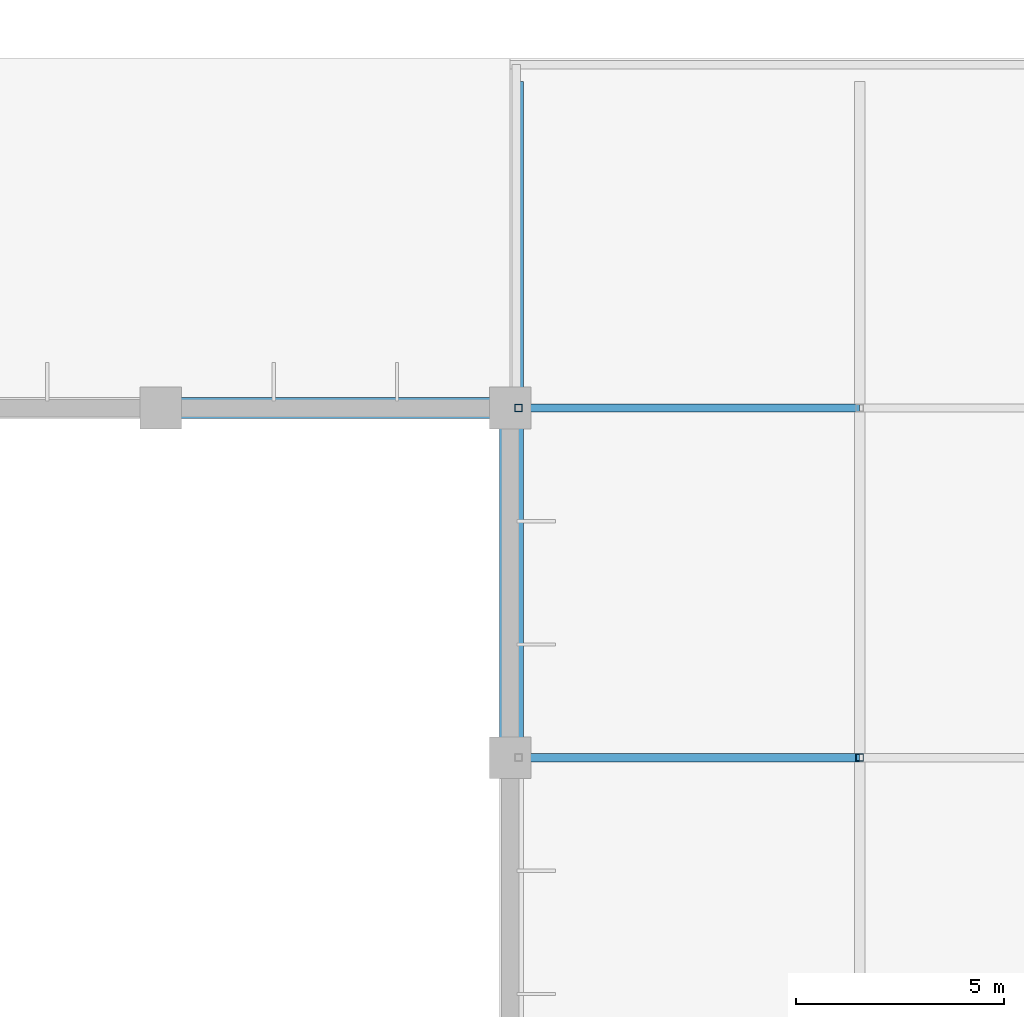
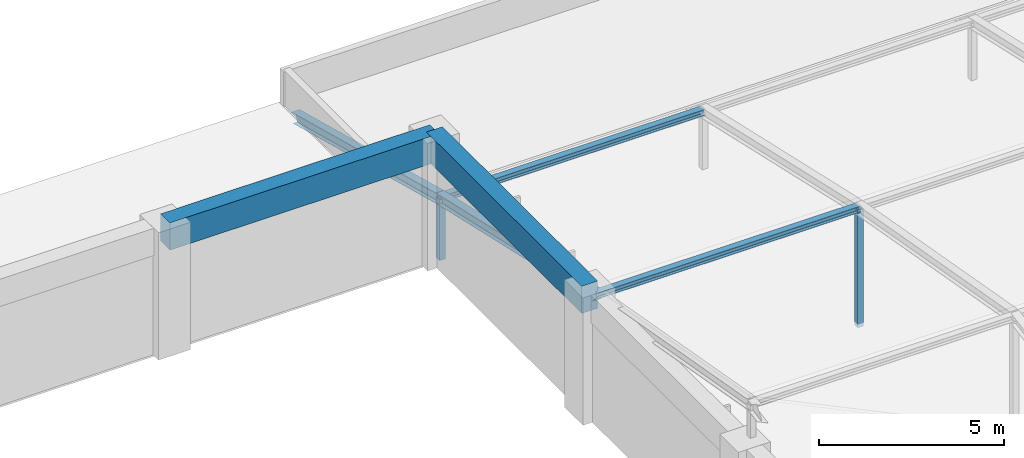
# One storey, part 13 of 34: 6 members, 2 beams.
"""IFC4 building model written with IfcOpenShell, lengths in metres."""

import ifcopenshell
import ifcopenshell.guid

model = None  # the IFC model being written
_history = None  # IfcOwnerHistory: only IFC2X3 demands one
_inside = {}  # id of a spatial element -> (the spatial element, [elements in it])
_under = {}  # id of a project, library or spatial element -> (it, [spatial elements below it])
_declared = {}  # id of a project -> (the project, [libraries it declares])
_typed = {}  # id of a type object -> (the type object, [elements of that type])
_made_of = {}  # id of a material, layer set ... -> (it, [elements and type objects made of it])


def new_model(schema):
    """Start an empty IFC model of exactly this schema.

    Asked for "IFC4X3", IfcOpenShell would pick the latest addendum, in which some entities
    have other attributes; the version numbers below select the first issue.
    IFC2X3 requires an IfcOwnerHistory on every rooted entity: one is made here for all.
    """
    global model, _history
    if schema == "IFC4X3":
        model = ifcopenshell.file(schema_version=(4, 3, 0, 0))
    else:
        model = ifcopenshell.file(schema=schema)
    _inside.clear()
    _under.clear()
    _declared.clear()
    _typed.clear()
    _made_of.clear()
    _history = None
    if model.schema == "IFC2X3":
        org = make("IfcOrganization", Name="unknown")
        user = make(
            "IfcPersonAndOrganization",
            ThePerson=make("IfcPerson", FamilyName="unknown"),
            TheOrganization=org,
        )
        app = make(
            "IfcApplication",
            ApplicationDeveloper=org,
            Version="unknown",
            ApplicationFullName="unknown",
            ApplicationIdentifier="unknown",
        )
        _history = make(
            "IfcOwnerHistory",
            OwningUser=user,
            OwningApplication=app,
            ChangeAction="ADDED",
            CreationDate=0,
        )
    return model


def make(cls, **values):
    """One entity of the class cls with the attributes given. An attribute that is None is left unset."""
    return model.create_entity(
        cls, **{name: value for name, value in values.items() if value is not None}
    )


def rooted(cls, **values):
    """An entity with a GlobalId (a new one), such as an element, a storey or a relation."""
    return make(cls, GlobalId=ifcopenshell.guid.new(), OwnerHistory=_history, **values)


def si_unit(unit_type, name, prefix=None):
    """IfcSIUnit, for example si_unit("LENGTHUNIT", "METRE", prefix="MILLI")."""
    return make("IfcSIUnit", UnitType=unit_type, Prefix=prefix, Name=name)


def assignment(units):
    """IfcUnitAssignment: the units of a project."""
    return None if units is None else make("IfcUnitAssignment", Units=units)


def point(xyz):
    """IfcCartesianPoint."""
    return None if xyz is None else make("IfcCartesianPoint", Coordinates=xyz)


def direction(xyz):
    """IfcDirection."""
    return None if xyz is None else make("IfcDirection", DirectionRatios=xyz)


def frame(location, z_axis=None, x_axis=None):
    """IfcAxis2Placement3D, a coordinate frame: its origin and axes. An axis left out is left unset."""
    return make(
        "IfcAxis2Placement3D",
        Location=point(location),
        Axis=direction(z_axis),
        RefDirection=direction(x_axis),
    )


def frame_2d(location, x_axis=None):
    """IfcAxis2Placement2D, a coordinate frame in the plane: its origin and x axis."""
    return make(
        "IfcAxis2Placement2D", Location=point(location), RefDirection=direction(x_axis)
    )


def origin():
    """The frame at (0, 0, 0) with its axes left unset."""
    return frame((0.0, 0.0, 0.0))


def origin_2d():
    """The frame at (0, 0) in the plane with its x axis left unset."""
    return frame_2d((0.0, 0.0))


def place(relative_to, where):
    """IfcLocalPlacement: puts the frame where relative to a parent placement (None: the world)."""
    return make(
        "IfcLocalPlacement", PlacementRelTo=relative_to, RelativePlacement=where
    )


def context(
    kind, dimensions, precision=None, world=None, true_north=None, identifier=None
):
    """IfcGeometricRepresentationContext, for example the 3D "Model" context."""
    return make(
        "IfcGeometricRepresentationContext",
        ContextIdentifier=identifier,
        ContextType=kind,
        CoordinateSpaceDimension=dimensions,
        Precision=precision,
        WorldCoordinateSystem=world,
        TrueNorth=true_north,
    )


def subcontext(parent, identifier, kind, view, scale=None):
    """IfcGeometricRepresentationSubContext, for example "Body" below "Model"."""
    return make(
        "IfcGeometricRepresentationSubContext",
        ContextIdentifier=identifier,
        ContextType=kind,
        ParentContext=parent,
        TargetScale=scale,
        TargetView=view,
    )


def project(units=None, contexts=None):
    """IfcProject with its units and contexts."""
    return rooted(
        "IfcProject",
        Name="project",
        RepresentationContexts=contexts,
        UnitsInContext=assignment(units),
    )


def spatial(cls, under=None, at=None, **own):
    """A site, building, storey or space (cls), placed at a placement, below another one or the project."""
    s = rooted(cls, ObjectPlacement=at, **own)
    if under is not None:
        _under.setdefault(under.id(), (under, []))[1].append(s)
    return s


def profile(cls, at=None, kind="AREA", **sizes):
    """A parametric profile (cls). Its sizes go by their IFC names, for example OverallWidth=200.0."""
    return make(cls, ProfileType=kind, Position=at, **sizes)


def rectangle(**sizes):
    """IfcRectangleProfileDef."""
    return profile("IfcRectangleProfileDef", **sizes)


def hollow_rectangle(**sizes):
    """IfcRectangleHollowProfileDef."""
    return profile("IfcRectangleHollowProfileDef", **sizes)


def i_section(**sizes):
    """IfcIShapeProfileDef."""
    return profile("IfcIShapeProfileDef", **sizes)


def extrude(swept, where, along, depth):
    """IfcExtrudedAreaSolid: the profile swept, set in the frame where, extruded along a direction by depth."""
    return make(
        "IfcExtrudedAreaSolid",
        SweptArea=swept,
        Position=where,
        ExtrudedDirection=direction(along),
        Depth=depth,
    )


def shape(context_of_items, identifier, shape_type, items):
    """IfcShapeRepresentation: the items that make up one representation, for example the "Body"."""
    return make(
        "IfcShapeRepresentation",
        ContextOfItems=context_of_items,
        RepresentationIdentifier=identifier,
        RepresentationType=shape_type,
        Items=items,
    )


def material(Name=None, Category=None):
    """IfcMaterial."""
    return make("IfcMaterial", Name=Name, Category=Category)


def material_profile(
    of_material, cross_section, Name=None, Category=None, Priority=None
):
    """IfcMaterialProfile: a cross section and its material."""
    return make(
        "IfcMaterialProfile",
        Name=Name,
        Material=of_material,
        Profile=cross_section,
        Priority=Priority,
        Category=Category,
    )


def profile_set(profiles, Name=None, composite=None):
    """IfcMaterialProfileSet."""
    return make(
        "IfcMaterialProfileSet",
        Name=Name,
        MaterialProfiles=profiles,
        CompositeProfile=composite,
    )


def made_of(thing, what):
    """Note that an element or type object is made of a material, layer set ...; save() writes the relation."""
    if what is not None:
        _made_of.setdefault(what.id(), (what, []))[1].append(thing)
    return thing


def type_object(cls, material=None, **own):
    """A type object (cls), such as IfcWallType, which elements share."""
    return made_of(rooted(cls, **own), material)


def element(
    cls,
    number,
    at=None,
    inside=None,
    cuts=None,
    type_object=None,
    material=None,
    context=None,
    identifier="Body",
    shape_type=None,
    held_by="IfcProductDefinitionShape",
    body=None,
    shapes=None,
    **own,
):
    """One element of the class cls, such as IfcWall. Its Tag is "e" and its number.

    at: its placement. inside: the storey or other place that contains it. cuts: it is an
    opening in that element (IfcRelVoidsElement). A single representation is given by context,
    identifier, shape_type and body (its items); several are given by shapes. held_by: the class
    of the entity that holds the representations. save() writes the other relations.
    """
    e = rooted(cls, Tag="e%d" % number, ObjectPlacement=at, **own)
    if body is not None:
        shapes = [shape(context, identifier, shape_type, body)]
    if shapes is not None:
        e.Representation = make(held_by, Representations=shapes)
    if inside is not None:
        _inside.setdefault(inside.id(), (inside, []))[1].append(e)
    if cuts is not None:
        rooted(
            "IfcRelVoidsElement", RelatingBuildingElement=cuts, RelatedOpeningElement=e
        )
    if type_object is not None:
        _typed.setdefault(type_object.id(), (type_object, []))[1].append(e)
    return made_of(e, material)


def aggregate(whole, parts):
    """IfcRelAggregates: a whole, such as a stair, and the parts it consists of."""
    return rooted("IfcRelAggregates", RelatingObject=whole, RelatedObjects=parts)


def save(model, path):
    """Write the relations noted so far, then the file.

    IfcRelAggregates (storeys below a building ...), IfcRelContainedInSpatialStructure (elements
    in a storey), IfcRelDefinesByType, IfcRelAssociatesMaterial and IfcRelDeclares: one each for
    every whole, place, type object, material and project.
    """
    for whole, parts in _under.values():
        aggregate(whole, parts)
    for where, things in _inside.values():
        rooted(
            "IfcRelContainedInSpatialStructure",
            RelatedElements=things,
            RelatingStructure=where,
        )
    for kind, things in _typed.values():
        rooted("IfcRelDefinesByType", RelatedObjects=things, RelatingType=kind)
    for what, things in _made_of.values():
        rooted("IfcRelAssociatesMaterial", RelatedObjects=things, RelatingMaterial=what)
    for by, libraries in _declared.values():
        rooted("IfcRelDeclares", RelatingContext=by, RelatedDefinitions=libraries)
    model.write(path)


model = new_model("IFC4")

# Units and contexts
model_context = context("Model", 3, precision=1e-05, world=origin(), true_north=direction((0.0, 1.0)))
body_context = subcontext(model_context, "Body", "Model", "MODEL_VIEW")
ifc_project = project(units=[si_unit("LENGTHUNIT", "METRE"), si_unit("AREAUNIT", "SQUARE_METRE"), si_unit("VOLUMEUNIT", "CUBIC_METRE"), si_unit("PLANEANGLEUNIT", "RADIAN"), si_unit("MASSUNIT", "GRAM", prefix="KILO")], contexts=[model_context])

# Site, building, storey
site_placement = place(None, origin())
site = spatial("IfcSite", under=ifc_project, at=site_placement, CompositionType="ELEMENT")
building_placement = place(site_placement, origin())
building = spatial("IfcBuilding", under=site, at=building_placement, Name="Xuanlan Plaza Opera House", CompositionType="ELEMENT")
storey_placement = place(building_placement, frame((0.0, 0.0, 27.89990234375)))
storey = spatial("IfcBuildingStorey", under=building, at=storey_placement, Name="L06", CompositionType="ELEMENT", Elevation=27.89990234375)

# Beams
ifc_material_1 = material(Name="Concrete C40", Category="concrete")
ifc_material_profile_1 = material_profile(ifc_material_1, rectangle(XDim=0.5, YDim=0.89990234375, at=origin_2d()), Name="RC-BM 500x900")
ifc_profile_set_1 = profile_set([ifc_material_profile_1], Name="Concrete C40")
beam_type = type_object("IfcBeamType", Name="STR-BM-B-03", PredefinedType="BEAM", material=ifc_profile_set_1)
beam_1_placement = place(storey_placement, frame((67.199951171875, 67.199951171875, 3.75), z_axis=(0.0, 1.0, 0.0), x_axis=(-1.0, 0.0, 0.0)))
element("IfcBeam", 1, at=beam_1_placement, inside=storey, type_object=beam_type, Name="Fly Tower Ring Beam Y L06 9/I-J", PredefinedType="BEAM", context=body_context, shape_type="SweptSolid", body=[
    extrude(rectangle(XDim=0.5, YDim=0.89990234375, at=origin_2d()), origin(), (0.0, 0.0, 1.0), 8.400146484375),
])
beam_2_placement = place(storey_placement, frame((58.800048828125, 75.60009765625, 3.75), z_axis=(1.0, 0.0, 0.0), x_axis=(0.0, 1.0, 0.0)))
element("IfcBeam", 2, at=beam_2_placement, inside=storey, type_object=beam_type, Name="Fly Tower Ring Beam X L06 8-9/J", PredefinedType="BEAM", context=body_context, shape_type="SweptSolid", body=[
    extrude(rectangle(XDim=0.5, YDim=0.89990234375, at=origin_2d()), origin(), (0.0, 0.0, 1.0), 8.39990234375),
])

# Members
ifc_material_2 = material(Name="Steel Q355B", Category="steel")
ifc_material_profile_2 = material_profile(ifc_material_2, hollow_rectangle(XDim=0.179931640625, YDim=0.179931640625, WallThickness=0.010009765625, at=origin_2d()), Name="SHS 180x180x10")
ifc_profile_set_2 = profile_set([ifc_material_profile_2], Name="Steel Q355B")
member_type_1 = type_object("IfcMemberType", Name="STR-MEM-ST-M2", PredefinedType="STRUT", material=ifc_profile_set_2)
member_1_placement = place(storey_placement, frame((67.39990234375, 75.60009765625, -0.119873046875), z_axis=(0.0, 0.0, 1.0), x_axis=(1.0, 0.0, 0.0)))
element("IfcMember", 3, at=member_1_placement, inside=storey, type_object=member_type_1, Name="Auditorium Vault Arch Post 01-5", PredefinedType="STRUT", context=body_context, shape_type="SweptSolid", body=[
    extrude(hollow_rectangle(XDim=0.179931640625, YDim=0.179931640625, WallThickness=0.010009765625, at=origin_2d()), origin(), (0.0, 0.0, 1.0), 2.0),
])
member_2_placement = place(storey_placement, frame((75.60009765625, 67.199951171875, -0.119873046875), z_axis=(0.0, 0.0, 1.0), x_axis=(1.0, 0.0, 0.0)))
element("IfcMember", 4, at=member_2_placement, inside=storey, type_object=member_type_1, Name="Auditorium Vault Arch Post 02-4", PredefinedType="STRUT", context=body_context, shape_type="SweptSolid", body=[
    extrude(hollow_rectangle(XDim=0.179931640625, YDim=0.179931640625, WallThickness=0.010009765625, at=origin_2d()), origin(), (0.0, 0.0, 1.0), 3.89990234375),
])
ifc_material_profile_3 = material_profile(ifc_material_2, i_section(OverallWidth=0.25, OverallDepth=0.340087890625, WebThickness=0.009033203125, FlangeThickness=0.013916015625, FilletRadius=0.01611328125, at=origin_2d()), Name="HM 340x250x9x14")
ifc_profile_set_3 = profile_set([ifc_material_profile_3], Name="Steel Q355B")
member_type_2 = type_object("IfcMemberType", Name="STR-MEM-TC-01", PredefinedType="CHORD", material=ifc_profile_set_3)
member_3_placement = place(storey_placement, frame((67.39990234375, 67.199951171875, 3.780029296875), z_axis=(0.0, 0.975363729385, -0.220602800072), x_axis=(-1.0, 0.0, 0.0)))
element("IfcMember", 5, at=member_3_placement, inside=storey, type_object=member_type_2, Name="Auditorium Parabolic Vault Arch Chord 01-5", PredefinedType="CHORD", context=body_context, shape_type="SweptSolid", body=[
    extrude(i_section(OverallWidth=0.25, OverallDepth=0.340087890625, WebThickness=0.009033203125, FlangeThickness=0.013916015625, FilletRadius=0.01611328125, at=origin_2d()), origin(), (0.0, 0.0, 1.0), 8.6123046875),
])
member_4_placement = place(storey_placement, frame((67.39990234375, 75.60009765625, 1.880126953125), z_axis=(0.0, 0.96684599926, -0.255360164698), x_axis=(-1.0, 0.0, 0.0)))
element("IfcMember", 6, at=member_4_placement, inside=storey, type_object=member_type_2, Name="Auditorium Parabolic Vault Arch Chord 01-6", PredefinedType="CHORD", context=body_context, shape_type="SweptSolid", body=[
    extrude(i_section(OverallWidth=0.25, OverallDepth=0.340087890625, WebThickness=0.009033203125, FlangeThickness=0.013916015625, FilletRadius=0.01611328125, at=origin_2d()), origin(), (0.0, 0.0, 1.0), 8.0673828125),
])
ifc_material_profile_4 = material_profile(ifc_material_2, i_section(OverallWidth=0.199951171875, OverallDepth=0.199951171875, WebThickness=0.008056640625, FlangeThickness=0.011962890625, FilletRadius=0.012939453125, at=origin_2d()), Name="HW 200x200x8x12")
ifc_profile_set_4 = profile_set([ifc_material_profile_4], Name="Steel Q355B")
member_type_3 = type_object("IfcMemberType", Name="STR-MEM-TC-02", PredefinedType="CHORD", material=ifc_profile_set_4)
for number, where, z_axis, x_axis, name in (
    (7, (67.39990234375, 67.199951171875, 3.780029296875), (1.0, 0.0, 0.0), (0.0, 1.0, 0.0), "Auditorium Vault Longitudinal Chord 01-4"),
    (8, (67.39990234375, 75.60009765625, 1.880126953125), (1.0, 0.0, 0.0), (0.0, 1.0, 0.0), "Auditorium Vault Longitudinal Chord 01-5"),
):
    element("IfcMember", number, at=place(storey_placement, frame(where, z_axis=z_axis, x_axis=x_axis)), inside=storey, type_object=member_type_3, Name=name, PredefinedType="CHORD", context=body_context, shape_type="SweptSolid", body=[
        extrude(i_section(OverallWidth=0.199951171875, OverallDepth=0.199951171875, WebThickness=0.008056640625, FlangeThickness=0.011962890625, FilletRadius=0.012939453125, at=origin_2d()), origin(), (0.0, 0.0, 1.0), 8.2001953125),
    ])

save(model, "model.ifc")
